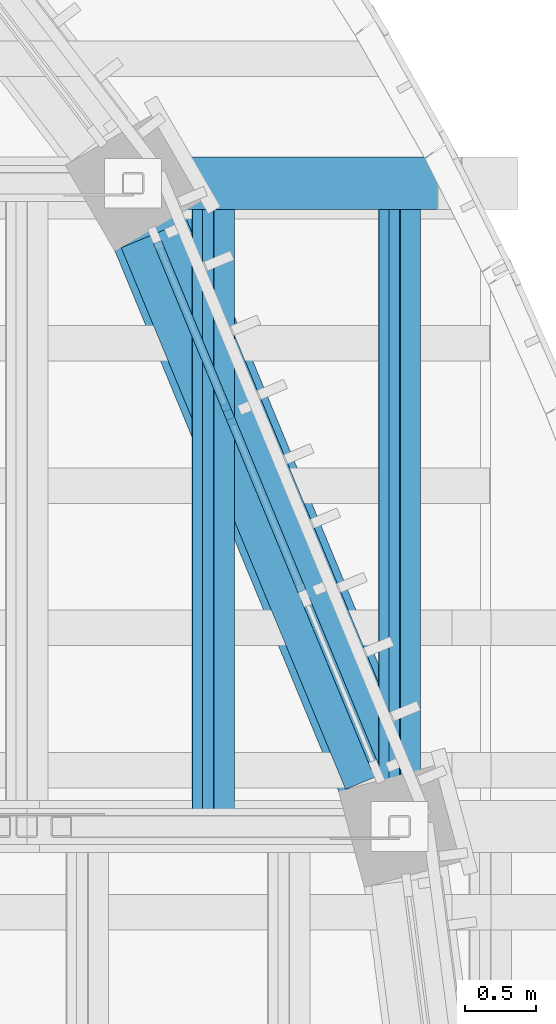
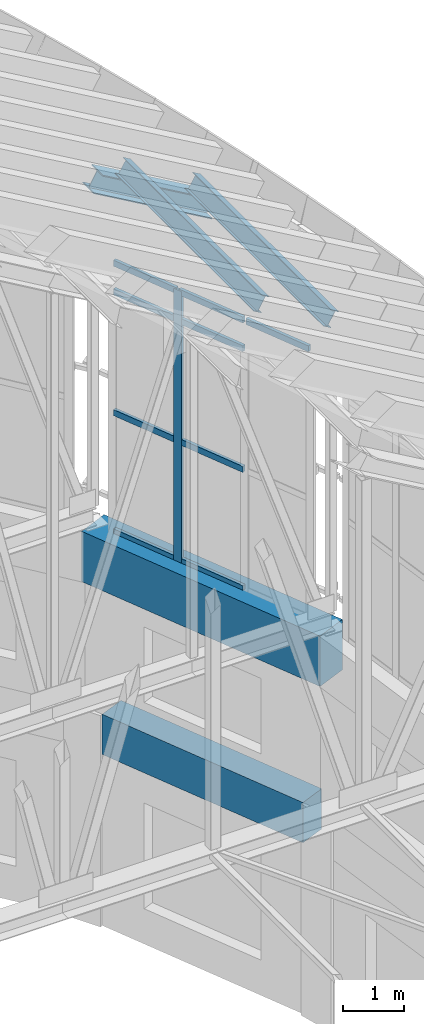
# One storey, part 28 of 105: 13 members, 2 beams, 1 element without a shape of its own.
"""IFC4 building model written with IfcOpenShell, lengths in metres."""

from ifc_helpers import new_model, si_unit, direction, frame, origin, origin_2d, place, context, subcontext, project, spatial, rectangle, i_section, extrude, material, layer, layer_set, material_profile, profile_set, type_object, element, aggregate, save


model = new_model("IFC4")

# Units and contexts
model_context = context("Model", 3, precision=1e-05, world=origin(), true_north=direction((0.0, 1.0)))
body_context = subcontext(model_context, "Body", "Model", "MODEL_VIEW")
ifc_project = project(units=[si_unit("LENGTHUNIT", "METRE"), si_unit("AREAUNIT", "SQUARE_METRE"), si_unit("VOLUMEUNIT", "CUBIC_METRE"), si_unit("PLANEANGLEUNIT", "RADIAN"), si_unit("MASSUNIT", "GRAM", prefix="KILO")], contexts=[model_context])

# Site, building, storey
site_placement = place(None, origin())
site = spatial("IfcSite", under=ifc_project, at=site_placement, CompositionType="ELEMENT")
building_placement = place(site_placement, origin())
building = spatial("IfcBuilding", under=site, at=building_placement, Name="Wasatch Bagh Community Centre", CompositionType="ELEMENT")
storey_placement = place(building_placement, frame((0.0, 0.0, 16.800048828125)))
storey = spatial("IfcBuildingStorey", under=building, at=storey_placement, Name="L04", CompositionType="ELEMENT", Elevation=16.800048828125)

# Curtain wall, members
ifc_material_1 = material(Name="Aluminium curtain wall frame with low-iron glass", Category="aluminium")
ifc_layer = layer(ifc_material_1, 0.10009765625)
ifc_layer_set = layer_set([ifc_layer], Name="Aluminium curtain wall frame with low-iron glass")
curtain_wall_type = type_object("IfcCurtainWallType", Name="MH end screen curtain wall 9", PredefinedType="NOTDEFINED", material=ifc_layer_set)
curtain_wall_placement = place(storey_placement, origin())
curtain_wall = element("IfcCurtainWall", 1, at=curtain_wall_placement, inside=storey, type_object=curtain_wall_type, Name="End screen 20", PredefinedType="NOTDEFINED")
ifc_material_2 = material(Name="Aluminium extrusion", Category="aluminium")
ifc_material_profile_1 = material_profile(ifc_material_2, rectangle(XDim=0.06005859375, YDim=0.159912109375, at=origin_2d()), Name="AL 60x160")
ifc_profile_set_1 = profile_set([ifc_material_profile_1], Name="Aluminium extrusion")
member_type_1 = type_object("IfcMemberType", Name="MH end screen mullion 60x160", PredefinedType="MULLION", material=ifc_profile_set_1)
member_1_placement = place(storey_placement, frame((52.91162109375, 72.74853515625, 7.699951171875), z_axis=(0.0, 0.0, 1.0), x_axis=(-0.923879532585, -0.382683432188, 0.0)))
member_1 = element("IfcMember", 2, at=member_1_placement, type_object=member_type_1, Name="MH-CW9 mullion 3", PredefinedType="MULLION", context=body_context, shape_type="SweptSolid", body=[
    extrude(rectangle(XDim=0.06005859375, YDim=0.159912109375, at=origin_2d()), origin(), (0.0, 0.0, 1.0), 5.39990234375),
])
ifc_material_profile_2 = material_profile(ifc_material_2, rectangle(XDim=0.06005859375, YDim=0.1201171875, at=origin_2d()), Name="AL 60x120")
ifc_profile_set_2 = profile_set([ifc_material_profile_2], Name="Aluminium extrusion")
member_type_2 = type_object("IfcMemberType", Name="MH end screen transom 60x120", PredefinedType="USERDEFINED", material=ifc_profile_set_2)
member_2_placement = place(storey_placement, frame((53.940185546875, 70.265380859375, 13.070068359375), z_axis=(-0.382642933155, 0.923896306793, 0.0), x_axis=(-0.923896306793, -0.382642933155, 0.0)))
member_2 = element("IfcMember", 3, at=member_2_placement, type_object=member_type_2, Name="MH-CW9 transom 1.4", ObjectType="TRANSOM", PredefinedType="USERDEFINED", context=body_context, shape_type="SweptSolid", body=[
    extrude(rectangle(XDim=0.06005859375, YDim=0.1201171875, at=origin_2d()), origin(), (0.0, 0.0, 1.0), 1.28369140625),
])
member_3_placement = place(storey_placement, frame((53.426025390625, 71.507080078125, 7.72998046875), z_axis=(-0.382767514508, 0.923844700065, 0.0), x_axis=(-0.923844700065, -0.382767514508, 0.0)))
member_3 = element("IfcMember", 4, at=member_3_placement, type_object=member_type_2, Name="MH-CW9 transom 2.1", ObjectType="TRANSOM", PredefinedType="USERDEFINED", context=body_context, shape_type="SweptSolid", body=[
    extrude(rectangle(XDim=0.06005859375, YDim=0.1201171875, at=origin_2d()), origin(), (0.0, 0.0, 1.0), 1.31396484375),
])
member_4_placement = place(storey_placement, frame((53.426025390625, 71.507080078125, 10.099853515625), z_axis=(-0.382767514508, 0.923844700065, 0.0), x_axis=(-0.923844700065, -0.382767514508, 0.0)))
member_4 = element("IfcMember", 5, at=member_4_placement, type_object=member_type_2, Name="MH-CW9 transom 2.2", ObjectType="TRANSOM", PredefinedType="USERDEFINED", context=body_context, shape_type="SweptSolid", body=[
    extrude(rectangle(XDim=0.06005859375, YDim=0.1201171875, at=origin_2d()), origin(), (0.0, 0.0, 1.0), 1.31396484375),
])
member_5_placement = place(storey_placement, frame((53.426025390625, 71.507080078125, 12.5), z_axis=(-0.382767514508, 0.923844700065, 0.0), x_axis=(-0.923844700065, -0.382767514508, 0.0)))
member_5 = element("IfcMember", 6, at=member_5_placement, type_object=member_type_2, Name="MH-CW9 transom 2.3", ObjectType="TRANSOM", PredefinedType="USERDEFINED", context=body_context, shape_type="SweptSolid", body=[
    extrude(rectangle(XDim=0.06005859375, YDim=0.1201171875, at=origin_2d()), origin(), (0.0, 0.0, 1.0), 1.31396484375),
])
member_6_placement = place(storey_placement, frame((53.426025390625, 71.507080078125, 13.070068359375), z_axis=(-0.382767514508, 0.923844700065, 0.0), x_axis=(-0.923844700065, -0.382767514508, 0.0)))
member_6 = element("IfcMember", 7, at=member_6_placement, type_object=member_type_2, Name="MH-CW9 transom 2.4", ObjectType="TRANSOM", PredefinedType="USERDEFINED", context=body_context, shape_type="SweptSolid", body=[
    extrude(rectangle(XDim=0.06005859375, YDim=0.1201171875, at=origin_2d()), origin(), (0.0, 0.0, 1.0), 1.31396484375),
])
member_7_placement = place(storey_placement, frame((52.900146484375, 72.7763671875, 7.72998046875), z_axis=(-0.382575710929, 0.923924144834, 0.0), x_axis=(-0.923924144834, -0.382575710929, 0.0)))
member_7 = element("IfcMember", 8, at=member_7_placement, type_object=member_type_2, Name="MH-CW9 transom 3.1", ObjectType="TRANSOM", PredefinedType="USERDEFINED", context=body_context, shape_type="SweptSolid", body=[
    extrude(rectangle(XDim=0.06005859375, YDim=0.1201171875, at=origin_2d()), origin(), (0.0, 0.0, 1.0), 1.283935546875),
])
member_8_placement = place(storey_placement, frame((52.900146484375, 72.7763671875, 10.099853515625), z_axis=(-0.382575710929, 0.923924144834, 0.0), x_axis=(-0.923924144834, -0.382575710929, 0.0)))
member_8 = element("IfcMember", 9, at=member_8_placement, type_object=member_type_2, Name="MH-CW9 transom 3.2", ObjectType="TRANSOM", PredefinedType="USERDEFINED", context=body_context, shape_type="SweptSolid", body=[
    extrude(rectangle(XDim=0.06005859375, YDim=0.1201171875, at=origin_2d()), origin(), (0.0, 0.0, 1.0), 1.283935546875),
])
member_9_placement = place(storey_placement, frame((52.900146484375, 72.7763671875, 12.5), z_axis=(-0.382575710929, 0.923924144834, 0.0), x_axis=(-0.923924144834, -0.382575710929, 0.0)))
member_9 = element("IfcMember", 10, at=member_9_placement, type_object=member_type_2, Name="MH-CW9 transom 3.3", ObjectType="TRANSOM", PredefinedType="USERDEFINED", context=body_context, shape_type="SweptSolid", body=[
    extrude(rectangle(XDim=0.06005859375, YDim=0.1201171875, at=origin_2d()), origin(), (0.0, 0.0, 1.0), 1.283935546875),
])
member_10_placement = place(storey_placement, frame((52.900146484375, 72.7763671875, 13.070068359375), z_axis=(-0.382575710929, 0.923924144834, 0.0), x_axis=(-0.923924144834, -0.382575710929, 0.0)))
member_10 = element("IfcMember", 11, at=member_10_placement, type_object=member_type_2, Name="MH-CW9 transom 3.4", ObjectType="TRANSOM", PredefinedType="USERDEFINED", context=body_context, shape_type="SweptSolid", body=[
    extrude(rectangle(XDim=0.06005859375, YDim=0.1201171875, at=origin_2d()), origin(), (0.0, 0.0, 1.0), 1.283935546875),
])
aggregate(curtain_wall, [member_1, member_2, member_3, member_4, member_5, member_6, member_7, member_8, member_9, member_10])

# Beams
ifc_material_3 = material(Name="Concrete C35", Category="concrete")
ifc_material_profile_3 = material_profile(ifc_material_3, rectangle(XDim=0.5, YDim=0.800048828125, at=origin_2d()), Name="RC 500x800")
ifc_profile_set_3 = profile_set([ifc_material_profile_3], Name="Concrete C35")
beam_type_1 = type_object("IfcBeamType", Name="MH ring beam RC 500x800", PredefinedType="BEAM", material=ifc_profile_set_3)
beam_1_placement = place(storey_placement, frame((53.963134765625, 70.2099609375, 3.800048828125), z_axis=(-0.382688328955, 0.923877504262, 0.0), x_axis=(-0.923877504262, -0.382688328955, 0.0)))
element("IfcBeam", 12, at=beam_1_placement, inside=storey, type_object=beam_type_1, Name="Ring beam 21.0 N1-N2", PredefinedType="BEAM", context=body_context, shape_type="SweptSolid", body=[
    extrude(rectangle(XDim=0.5, YDim=0.800048828125, at=origin_2d()), origin(), (0.0, 0.0, 1.0), 4.121826171875),
])
ifc_material_profile_4 = material_profile(ifc_material_3, rectangle(XDim=0.60009765625, YDim=1.0, at=origin_2d()), Name="RC 600x1000")
ifc_profile_set_4 = profile_set([ifc_material_profile_4], Name="Concrete C35")
beam_type_2 = type_object("IfcBeamType", Name="MH ring beam RC 600x1000", PredefinedType="BEAM", material=ifc_profile_set_4)
beam_2_placement = place(storey_placement, frame((54.111083984375, 69.852783203125, 7.199951171875), z_axis=(-0.382663090012, 0.923887958328, 0.0), x_axis=(-0.923887958328, -0.382663090012, 0.0)))
element("IfcBeam", 13, at=beam_2_placement, inside=storey, type_object=beam_type_2, Name="Ring beam 24.5 N1-N2", PredefinedType="BEAM", context=body_context, shape_type="SweptSolid", body=[
    extrude(rectangle(XDim=0.60009765625, YDim=1.0, at=origin_2d()), origin(), (0.0, 0.0, 1.0), 4.894775390625),
])

# Members
ifc_material_4 = material(Name="ASTM A992 Grade 50 steel", Category="steel")
ifc_material_profile_5 = material_profile(ifc_material_4, i_section(OverallWidth=0.164794921875, OverallDepth=0.309814453125, WebThickness=0.005859375, FlangeThickness=0.009765625, at=origin_2d()), Name="W12x26")
ifc_profile_set_5 = profile_set([ifc_material_profile_5], Name="ASTM A992 Grade 50 steel")
member_type_3 = type_object("IfcMemberType", Name="W12x26 purlin", PredefinedType="PURLIN", material=ifc_profile_set_5)
for number, where, z_axis, x_axis, name in (
    (14, (52.801025390625, 69.852783203125, 14.5966796875), (0.0, 1.0, 0.0), (-0.866025403784, 0.0, 0.5), "MH.TN1-TN2.PU27"),
    (15, (54.111083984375, 69.852783203125, 13.84033203125), (0.0, 1.0, 0.0), (-0.866025403784, 0.0, 0.5), "MH.TN1-TN2.PU28"),
):
    element("IfcMember", number, at=place(storey_placement, frame(where, z_axis=z_axis, x_axis=x_axis)), inside=storey, type_object=member_type_3, Name=name, PredefinedType="PURLIN", context=body_context, shape_type="SweptSolid", body=[
        extrude(i_section(OverallWidth=0.164794921875, OverallDepth=0.309814453125, WebThickness=0.005859375, FlangeThickness=0.009765625, at=origin_2d()), origin(), (0.0, 0.0, 1.0), 4.522216796875),
    ])
ifc_material_profile_6 = material_profile(ifc_material_4, i_section(OverallWidth=0.368408203125, OverallDepth=0.355712890625, WebThickness=0.01123046875, FlangeThickness=0.01806640625, at=origin_2d()), Name="W14x90")
ifc_profile_set_6 = profile_set([ifc_material_profile_6], Name="ASTM A992 Grade 50 steel")
member_type_4 = type_object("IfcMemberType", Name="W14x90 chord", PredefinedType="CHORD", material=ifc_profile_set_6)
member_11_placement = place(storey_placement, frame((52.238525390625, 74.375, 14.537353515625), z_axis=(0.865981297914, 0.0, -0.500076385828), x_axis=(0.0, 1.0, 0.0)))
element("IfcMember", 16, at=member_11_placement, inside=storey, type_object=member_type_4, Name="MH.TN2.TC15", PredefinedType="CHORD", context=body_context, shape_type="SweptSolid", body=[
    extrude(i_section(OverallWidth=0.368408203125, OverallDepth=0.355712890625, WebThickness=0.01123046875, FlangeThickness=0.01806640625, at=origin_2d()), origin(), (0.0, 0.0, 1.0), 2.5673828125),
])

save(model, "model.ifc")
